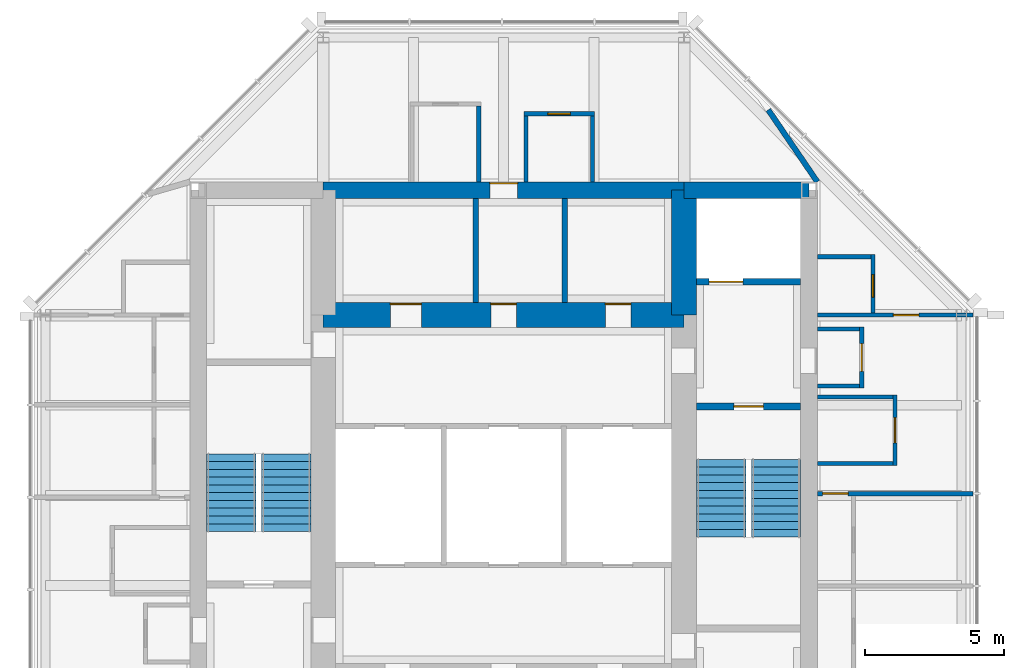
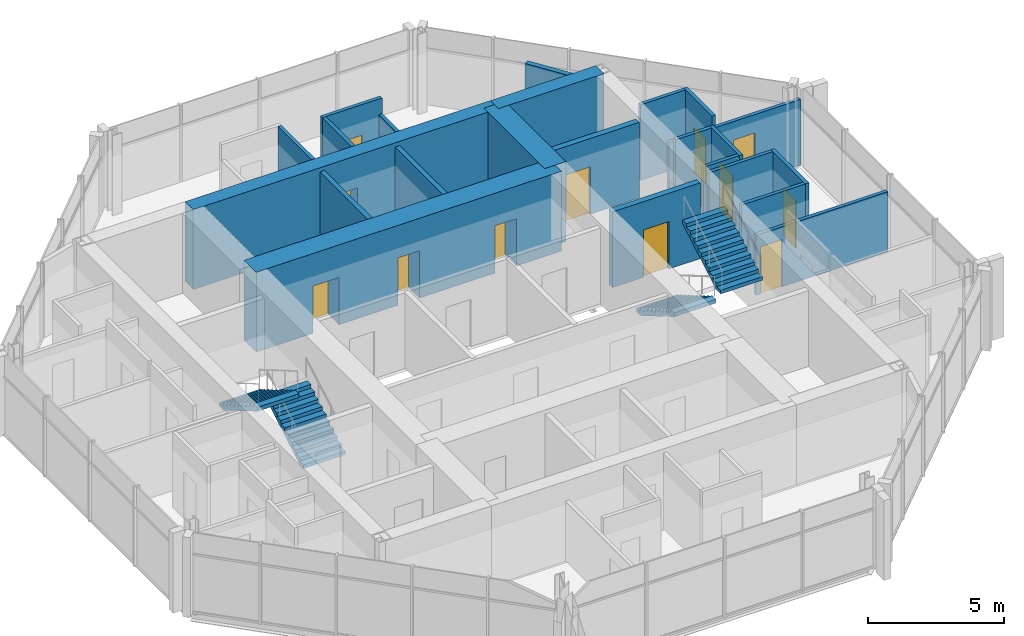
# One storey, part 7 of 9: 23 walls, 12 doors, 4 stair flights, 12 openings, 2 elements without a shape of their own.
"""IFC4 building model written with IfcOpenShell, lengths in metres."""

import ifcopenshell
import ifcopenshell.guid

model = None  # the IFC model being written
_history = None  # IfcOwnerHistory: only IFC2X3 demands one
_inside = {}  # id of a spatial element -> (the spatial element, [elements in it])
_under = {}  # id of a project, library or spatial element -> (it, [spatial elements below it])
_declared = {}  # id of a project -> (the project, [libraries it declares])
_typed = {}  # id of a type object -> (the type object, [elements of that type])
_made_of = {}  # id of a material, layer set ... -> (it, [elements and type objects made of it])


def new_model(schema):
    """Start an empty IFC model of exactly this schema.

    Asked for "IFC4X3", IfcOpenShell would pick the latest addendum, in which some entities
    have other attributes; the version numbers below select the first issue.
    IFC2X3 requires an IfcOwnerHistory on every rooted entity: one is made here for all.
    """
    global model, _history
    if schema == "IFC4X3":
        model = ifcopenshell.file(schema_version=(4, 3, 0, 0))
    else:
        model = ifcopenshell.file(schema=schema)
    _inside.clear()
    _under.clear()
    _declared.clear()
    _typed.clear()
    _made_of.clear()
    _history = None
    if model.schema == "IFC2X3":
        org = make("IfcOrganization", Name="unknown")
        user = make(
            "IfcPersonAndOrganization",
            ThePerson=make("IfcPerson", FamilyName="unknown"),
            TheOrganization=org,
        )
        app = make(
            "IfcApplication",
            ApplicationDeveloper=org,
            Version="unknown",
            ApplicationFullName="unknown",
            ApplicationIdentifier="unknown",
        )
        _history = make(
            "IfcOwnerHistory",
            OwningUser=user,
            OwningApplication=app,
            ChangeAction="ADDED",
            CreationDate=0,
        )
    return model


def make(cls, **values):
    """One entity of the class cls with the attributes given. An attribute that is None is left unset."""
    return model.create_entity(
        cls, **{name: value for name, value in values.items() if value is not None}
    )


def rooted(cls, **values):
    """An entity with a GlobalId (a new one), such as an element, a storey or a relation."""
    return make(cls, GlobalId=ifcopenshell.guid.new(), OwnerHistory=_history, **values)


def si_unit(unit_type, name, prefix=None):
    """IfcSIUnit, for example si_unit("LENGTHUNIT", "METRE", prefix="MILLI")."""
    return make("IfcSIUnit", UnitType=unit_type, Prefix=prefix, Name=name)


def assignment(units):
    """IfcUnitAssignment: the units of a project."""
    return None if units is None else make("IfcUnitAssignment", Units=units)


def point(xyz):
    """IfcCartesianPoint."""
    return None if xyz is None else make("IfcCartesianPoint", Coordinates=xyz)


def direction(xyz):
    """IfcDirection."""
    return None if xyz is None else make("IfcDirection", DirectionRatios=xyz)


def frame(location, z_axis=None, x_axis=None):
    """IfcAxis2Placement3D, a coordinate frame: its origin and axes. An axis left out is left unset."""
    return make(
        "IfcAxis2Placement3D",
        Location=point(location),
        Axis=direction(z_axis),
        RefDirection=direction(x_axis),
    )


def frame_2d(location, x_axis=None):
    """IfcAxis2Placement2D, a coordinate frame in the plane: its origin and x axis."""
    return make(
        "IfcAxis2Placement2D", Location=point(location), RefDirection=direction(x_axis)
    )


def origin():
    """The frame at (0, 0, 0) with its axes left unset."""
    return frame((0.0, 0.0, 0.0))


def place(relative_to, where):
    """IfcLocalPlacement: puts the frame where relative to a parent placement (None: the world)."""
    return make(
        "IfcLocalPlacement", PlacementRelTo=relative_to, RelativePlacement=where
    )


def context(
    kind, dimensions, precision=None, world=None, true_north=None, identifier=None
):
    """IfcGeometricRepresentationContext, for example the 3D "Model" context."""
    return make(
        "IfcGeometricRepresentationContext",
        ContextIdentifier=identifier,
        ContextType=kind,
        CoordinateSpaceDimension=dimensions,
        Precision=precision,
        WorldCoordinateSystem=world,
        TrueNorth=true_north,
    )


def subcontext(parent, identifier, kind, view, scale=None):
    """IfcGeometricRepresentationSubContext, for example "Body" below "Model"."""
    return make(
        "IfcGeometricRepresentationSubContext",
        ContextIdentifier=identifier,
        ContextType=kind,
        ParentContext=parent,
        TargetScale=scale,
        TargetView=view,
    )


def project(units=None, contexts=None):
    """IfcProject with its units and contexts."""
    return rooted(
        "IfcProject",
        Name="project",
        RepresentationContexts=contexts,
        UnitsInContext=assignment(units),
    )


def spatial(cls, under=None, at=None, **own):
    """A site, building, storey or space (cls), placed at a placement, below another one or the project."""
    s = rooted(cls, ObjectPlacement=at, **own)
    if under is not None:
        _under.setdefault(under.id(), (under, []))[1].append(s)
    return s


def polyline(points):
    """IfcPolyline through the points."""
    return make("IfcPolyline", Points=[point(p) for p in points])


def profile(cls, at=None, kind="AREA", **sizes):
    """A parametric profile (cls). Its sizes go by their IFC names, for example OverallWidth=200.0."""
    return make(cls, ProfileType=kind, Position=at, **sizes)


def rectangle(**sizes):
    """IfcRectangleProfileDef."""
    return profile("IfcRectangleProfileDef", **sizes)


def outline(outer, holes=None, kind="AREA"):
    """IfcArbitraryClosedProfileDef: a profile drawn as a closed curve; with holes, ...WithVoids."""
    if holes is None:
        return make("IfcArbitraryClosedProfileDef", ProfileType=kind, OuterCurve=outer)
    return make(
        "IfcArbitraryProfileDefWithVoids",
        ProfileType=kind,
        OuterCurve=outer,
        InnerCurves=holes,
    )


def extrude(swept, where, along, depth):
    """IfcExtrudedAreaSolid: the profile swept, set in the frame where, extruded along a direction by depth."""
    return make(
        "IfcExtrudedAreaSolid",
        SweptArea=swept,
        Position=where,
        ExtrudedDirection=direction(along),
        Depth=depth,
    )


def shape(context_of_items, identifier, shape_type, items):
    """IfcShapeRepresentation: the items that make up one representation, for example the "Body"."""
    return make(
        "IfcShapeRepresentation",
        ContextOfItems=context_of_items,
        RepresentationIdentifier=identifier,
        RepresentationType=shape_type,
        Items=items,
    )


def material(Name=None, Category=None):
    """IfcMaterial."""
    return make("IfcMaterial", Name=Name, Category=Category)


def layer(
    of_material, thickness, ventilated=None, Name=None, Category=None, Priority=None
):
    """IfcMaterialLayer: one layer of a wall or slab, of a material (None: an air gap)."""
    return make(
        "IfcMaterialLayer",
        Material=of_material,
        LayerThickness=thickness,
        IsVentilated=ventilated,
        Name=Name,
        Category=Category,
        Priority=Priority,
    )


def layer_set(layers, Name=None):
    """IfcMaterialLayerSet."""
    return make("IfcMaterialLayerSet", MaterialLayers=layers, LayerSetName=Name)


def made_of(thing, what):
    """Note that an element or type object is made of a material, layer set ...; save() writes the relation."""
    if what is not None:
        _made_of.setdefault(what.id(), (what, []))[1].append(thing)
    return thing


def type_object(cls, material=None, **own):
    """A type object (cls), such as IfcWallType, which elements share."""
    return made_of(rooted(cls, **own), material)


def element(
    cls,
    number,
    at=None,
    inside=None,
    cuts=None,
    type_object=None,
    material=None,
    context=None,
    identifier="Body",
    shape_type=None,
    held_by="IfcProductDefinitionShape",
    body=None,
    shapes=None,
    **own,
):
    """One element of the class cls, such as IfcWall. Its Tag is "e" and its number.

    at: its placement. inside: the storey or other place that contains it. cuts: it is an
    opening in that element (IfcRelVoidsElement). A single representation is given by context,
    identifier, shape_type and body (its items); several are given by shapes. held_by: the class
    of the entity that holds the representations. save() writes the other relations.
    """
    e = rooted(cls, Tag="e%d" % number, ObjectPlacement=at, **own)
    if body is not None:
        shapes = [shape(context, identifier, shape_type, body)]
    if shapes is not None:
        e.Representation = make(held_by, Representations=shapes)
    if inside is not None:
        _inside.setdefault(inside.id(), (inside, []))[1].append(e)
    if cuts is not None:
        rooted(
            "IfcRelVoidsElement", RelatingBuildingElement=cuts, RelatedOpeningElement=e
        )
    if type_object is not None:
        _typed.setdefault(type_object.id(), (type_object, []))[1].append(e)
    return made_of(e, material)


def fill(opening, filler):
    """IfcRelFillsElement: the door or window that sits in an opening."""
    return rooted(
        "IfcRelFillsElement",
        RelatingOpeningElement=opening,
        RelatedBuildingElement=filler,
    )


def aggregate(whole, parts):
    """IfcRelAggregates: a whole, such as a stair, and the parts it consists of."""
    return rooted("IfcRelAggregates", RelatingObject=whole, RelatedObjects=parts)


def save(model, path):
    """Write the relations noted so far, then the file.

    IfcRelAggregates (storeys below a building ...), IfcRelContainedInSpatialStructure (elements
    in a storey), IfcRelDefinesByType, IfcRelAssociatesMaterial and IfcRelDeclares: one each for
    every whole, place, type object, material and project.
    """
    for whole, parts in _under.values():
        aggregate(whole, parts)
    for where, things in _inside.values():
        rooted(
            "IfcRelContainedInSpatialStructure",
            RelatedElements=things,
            RelatingStructure=where,
        )
    for kind, things in _typed.values():
        rooted("IfcRelDefinesByType", RelatedObjects=things, RelatingType=kind)
    for what, things in _made_of.values():
        rooted("IfcRelAssociatesMaterial", RelatedObjects=things, RelatingMaterial=what)
    for by, libraries in _declared.values():
        rooted("IfcRelDeclares", RelatingContext=by, RelatedDefinitions=libraries)
    model.write(path)


model = new_model("IFC4")

# Units and contexts
model_context = context("Model", 3, precision=1e-05, world=origin(), true_north=direction((0.0, 1.0)))
body_context = subcontext(model_context, "Body", "Model", "MODEL_VIEW")
ifc_project = project(units=[si_unit("LENGTHUNIT", "METRE"), si_unit("AREAUNIT", "SQUARE_METRE"), si_unit("VOLUMEUNIT", "CUBIC_METRE"), si_unit("PLANEANGLEUNIT", "RADIAN"), si_unit("MASSUNIT", "GRAM", prefix="KILO")], contexts=[model_context])

# Site, building, storey
site_placement = place(None, origin())
site = spatial("IfcSite", under=ifc_project, at=site_placement, CompositionType="ELEMENT")
building_placement = place(site_placement, origin())
building = spatial("IfcBuilding", under=site, at=building_placement, Name="Trevanion Tower", CompositionType="ELEMENT")
storey_placement = place(building_placement, frame((0.0, 0.0, 292.0)))
storey = spatial("IfcBuildingStorey", under=building, at=storey_placement, Name="L72", CompositionType="ELEMENT", Elevation=292.0)

# Wall
ifc_material_1 = material(Name="Concrete 10,000 psi", Category="concrete")
ifc_layer_1 = layer(ifc_material_1, 0.60009765625)
ifc_layer_set_1 = layer_set([ifc_layer_1], Name="CW1 core wall 600")
wall_type_1 = type_object("IfcWallType", Name="CW1 core wall 600", PredefinedType="SHEAR", material=ifc_layer_set_1)
wall_1_placement = place(storey_placement, frame((11.0, 11.0, 0.0), z_axis=(0.0, 0.0, 1.0), x_axis=(-1.0, 0.0, 0.0)))
element("IfcWall", 1, at=wall_1_placement, inside=storey, type_object=wall_type_1, Name="CW1 CN1 L72", PredefinedType="SHEAR", context=body_context, shape_type="SweptSolid", body=[
    extrude(rectangle(XDim=4.5, YDim=0.60009765625, at=frame_2d((2.25, 0.0))), origin(), (0.0, 0.0, 1.0), 3.60009765625),
])

# Wall, opening, door
wall_2_placement = place(storey_placement, frame((6.5, 11.0, 0.0), z_axis=(0.0, 0.0, 1.0), x_axis=(-1.0, 0.0, 0.0)))
wall_2 = element("IfcWall", 2, at=wall_2_placement, inside=storey, type_object=wall_type_1, Name="CW1 CN2 L72", PredefinedType="SHEAR", context=body_context, shape_type="SweptSolid", body=[
    extrude(rectangle(XDim=13.0, YDim=0.60009765625, at=frame_2d((6.5, 0.0))), origin(), (0.0, 0.0, 1.0), 3.60009765625),
])
opening_1_placement = place(wall_2_placement, frame((6.0, 0.0, 0.0)))
opening_1 = element("IfcOpeningElement", 3, at=opening_1_placement, cuts=wall_2, Name="Opening 72-018", PredefinedType="OPENING", context=body_context, shape_type="SweptSolid", body=[
    extrude(rectangle(XDim=1.0, YDim=2.134033203125, at=frame_2d((0.5, 1.06689453125))), frame((0.0, 0.31005859375, 0.0), z_axis=(0.0, -1.0, 0.0), x_axis=(1.0, 0.0, 0.0)), (0.0, 0.0, 1.0), 0.6201171875),
])
ifc_material_2 = material(Name="Timber veneer on steel frame, fire rated", Category="steel")
door_type_1 = type_object("IfcDoorType", Name="D13 residence entrance door", OperationType="SINGLE_SWING_RIGHT", PredefinedType="DOOR", material=ifc_material_2)
door_1_placement = place(opening_1_placement, origin())
door_1 = element("IfcDoor", 4, at=door_1_placement, inside=storey, type_object=door_type_1, Name="Door 72-018", OperationType="SINGLE_SWING_RIGHT", OverallHeight=2.134033203125, OverallWidth=1.0, PredefinedType="DOOR", context=body_context, shape_type="SweptSolid", body=[
    extrude(rectangle(XDim=1.0, YDim=2.134033203125, at=frame_2d((0.5, 1.06689453125))), frame((0.0, -0.22509765625, 0.0), z_axis=(0.0, -1.0, 0.0), x_axis=(1.0, 0.0, 0.0)), (0.0, 0.0, 1.0), 0.050048828125),
])
fill(opening_1, door_1)

# Wall
ifc_material_3 = material(Name="Concrete 10,000 psi", Category="concrete")
ifc_layer_2 = layer(ifc_material_3, 0.89990234375)
ifc_layer_set_2 = layer_set([ifc_layer_2], Name="CW2 core wall 900")
wall_type_2 = type_object("IfcWallType", Name="CW2 core wall 900", PredefinedType="SHEAR", material=ifc_layer_set_2)
wall_3_placement = place(storey_placement, frame((6.5, 6.5, 0.0), z_axis=(0.0, 0.0, 1.0), x_axis=(0.0, 1.0, 0.0)))
element("IfcWall", 5, at=wall_3_placement, inside=storey, type_object=wall_type_2, Name="CW2 RE3 L72", PredefinedType="SHEAR", context=body_context, shape_type="SweptSolid", body=[
    extrude(rectangle(XDim=4.5, YDim=0.89990234375, at=frame_2d((2.25, 0.0))), origin(), (0.0, 0.0, 1.0), 3.60009765625),
])

# Wall, openings, doors
wall_4_placement = place(storey_placement, frame((6.5, 6.5, 0.0), z_axis=(0.0, 0.0, 1.0), x_axis=(-1.0, 0.0, 0.0)))
wall_4 = element("IfcWall", 6, at=wall_4_placement, inside=storey, type_object=wall_type_2, Name="CW2 RN L72", PredefinedType="SHEAR", context=body_context, shape_type="SweptSolid", body=[
    extrude(rectangle(XDim=13.0, YDim=0.89990234375, at=frame_2d((6.5, 0.0))), origin(), (0.0, 0.0, 1.0), 3.60009765625),
])
opening_2_placement = place(wall_4_placement, frame((6.04248046875, 0.0, 0.0)))
opening_2 = element("IfcOpeningElement", 7, at=opening_2_placement, cuts=wall_4, Name="Opening 72-017", PredefinedType="OPENING", context=body_context, shape_type="SweptSolid", body=[
    extrude(rectangle(XDim=0.9150390625, YDim=2.134033203125, at=frame_2d((0.45751953125, 1.06689453125))), frame((0.0, 0.4599609375, 0.0), z_axis=(0.0, -1.0, 0.0), x_axis=(1.0, 0.0, 0.0)), (0.0, 0.0, 1.0), 0.919921875),
])
opening_3_placement = place(wall_4_placement, frame((9.466064453125, 0.0, 0.0)))
opening_3 = element("IfcOpeningElement", 8, at=opening_3_placement, cuts=wall_4, Name="Opening 72-019", PredefinedType="OPENING", context=body_context, shape_type="SweptSolid", body=[
    extrude(rectangle(XDim=1.117919921875, YDim=2.134033203125, at=frame_2d((0.55908203125, 1.06689453125))), frame((0.0, 0.4599609375, 0.0), z_axis=(0.0, -1.0, 0.0), x_axis=(1.0, 0.0, 0.0)), (0.0, 0.0, 1.0), 0.919921875),
])
opening_4_placement = place(wall_4_placement, frame((1.91748046875, 0.0, 0.0)))
opening_4 = element("IfcOpeningElement", 9, at=opening_4_placement, cuts=wall_4, Name="Opening 72-020", PredefinedType="OPENING", context=body_context, shape_type="SweptSolid", body=[
    extrude(rectangle(XDim=0.9150390625, YDim=2.134033203125, at=frame_2d((0.45751953125, 1.06689453125))), frame((0.0, 0.4599609375, 0.0), z_axis=(0.0, -1.0, 0.0), x_axis=(1.0, 0.0, 0.0)), (0.0, 0.0, 1.0), 0.919921875),
])
ifc_material_4 = material(Name="Hollow metal, fire rated", Category="steel")
door_type_2 = type_object("IfcDoorType", Name="D16 refuse room door", OperationType="SINGLE_SWING_RIGHT", PredefinedType="DOOR", material=ifc_material_4)
door_2_placement = place(opening_3_placement, origin())
door_2 = element("IfcDoor", 10, at=door_2_placement, inside=storey, type_object=door_type_2, Name="Door 72-019", OperationType="SINGLE_SWING_RIGHT", OverallHeight=2.134033203125, OverallWidth=1.117919921875, PredefinedType="DOOR", context=body_context, shape_type="SweptSolid", body=[
    extrude(rectangle(XDim=1.117919921875, YDim=2.134033203125, at=frame_2d((0.55908203125, 1.06689453125))), frame((0.0, -0.375, 0.0), z_axis=(0.0, -1.0, 0.0), x_axis=(1.0, 0.0, 0.0)), (0.0, 0.0, 1.0), 0.050048828125),
])
fill(opening_3, door_2)
ifc_material_5 = material(Name="Hollow metal, fire rated", Category="steel")
door_type_3 = type_object("IfcDoorType", Name="D3 fire lift lobby door", OperationType="SINGLE_SWING_RIGHT", PredefinedType="DOOR", material=ifc_material_5)
door_3_placement = place(opening_2_placement, origin())
door_3 = element("IfcDoor", 11, at=door_3_placement, inside=storey, type_object=door_type_3, Name="Door 72-017", OperationType="SINGLE_SWING_RIGHT", OverallHeight=2.134033203125, OverallWidth=0.9150390625, PredefinedType="DOOR", context=body_context, shape_type="SweptSolid", body=[
    extrude(rectangle(XDim=0.9150390625, YDim=2.134033203125, at=frame_2d((0.45751953125, 1.06689453125))), frame((0.0, -0.375, 0.0), z_axis=(0.0, -1.0, 0.0), x_axis=(1.0, 0.0, 0.0)), (0.0, 0.0, 1.0), 0.050048828125),
])
fill(opening_2, door_3)
ifc_material_6 = material(Name="Hollow metal, fire rated", Category="steel")
door_type_4 = type_object("IfcDoorType", Name="D5 service room door", OperationType="SINGLE_SWING_RIGHT", PredefinedType="DOOR", material=ifc_material_6)
door_4_placement = place(opening_4_placement, origin())
door_4 = element("IfcDoor", 12, at=door_4_placement, inside=storey, type_object=door_type_4, Name="Door 72-020", OperationType="SINGLE_SWING_RIGHT", OverallHeight=2.134033203125, OverallWidth=0.9150390625, PredefinedType="DOOR", context=body_context, shape_type="SweptSolid", body=[
    extrude(rectangle(XDim=0.9150390625, YDim=2.134033203125, at=frame_2d((0.45751953125, 1.06689453125))), frame((0.0, -0.375, 0.0), z_axis=(0.0, -1.0, 0.0), x_axis=(1.0, 0.0, 0.0)), (0.0, 0.0, 1.0), 0.050048828125),
])
fill(opening_4, door_4)

# Wall, opening, door
ifc_material_7 = material(Name="Gypsum board on steel studs", Category="steel")
ifc_layer_3 = layer(ifc_material_7, 0.14990234375)
ifc_layer_set_3 = layer_set([ifc_layer_3], Name="PT1 partition 150")
wall_type_3 = type_object("IfcWallType", Name="PT1 partition 150", PredefinedType="PARTITIONING", material=ifc_layer_set_3)
wall_5_placement = place(storey_placement, frame((11.300048828125, 0.06494140625, 0.0), z_axis=(0.0, 0.0, 1.0), x_axis=(1.0, 0.0, 0.0)))
wall_5 = element("IfcWall", 13, at=wall_5_placement, inside=storey, type_object=wall_type_3, Name="PT1 L72 REC2", PredefinedType="PARTITIONING", context=body_context, shape_type="SweptSolid", body=[
    extrude(rectangle(XDim=5.614990234375, YDim=0.14990234375, at=frame_2d((2.8076171875, 0.0))), origin(), (0.0, 0.0, 1.0), 2.708984375),
])
opening_5_placement = place(wall_5_placement, frame((0.1923828125, 0.0, 0.0)))
opening_5 = element("IfcOpeningElement", 14, at=opening_5_placement, cuts=wall_5, Name="Opening 72-030", PredefinedType="OPENING", context=body_context, shape_type="SweptSolid", body=[
    extrude(rectangle(XDim=0.9150390625, YDim=2.134033203125, at=frame_2d((0.45751953125, 1.06689453125))), frame((0.0, 0.0849609375, 0.0), z_axis=(0.0, -1.0, 0.0), x_axis=(1.0, 0.0, 0.0)), (0.0, 0.0, 1.0), 0.169921875),
])
ifc_material_8 = material(Name="Timber veneer, solid core", Category="wood")
door_type_5 = type_object("IfcDoorType", Name="D1 office and meeting room door", OperationType="SINGLE_SWING_LEFT", PredefinedType="DOOR", material=ifc_material_8)
door_5_placement = place(opening_5_placement, origin())
door_5 = element("IfcDoor", 15, at=door_5_placement, inside=storey, type_object=door_type_5, Name="Door 72-030", OperationType="SINGLE_SWING_LEFT", OverallHeight=2.134033203125, OverallWidth=0.9150390625, PredefinedType="DOOR", context=body_context, shape_type="SweptSolid", body=[
    extrude(rectangle(XDim=0.9150390625, YDim=2.134033203125, at=frame_2d((0.45751953125, 1.06689453125))), frame((0.0, 0.02490234375, 0.0), z_axis=(0.0, -1.0, 0.0), x_axis=(1.0, 0.0, 0.0)), (0.0, 0.0, 1.0), 0.050048828125),
])
fill(opening_5, door_5)

wall_6_placement = place(storey_placement, frame((11.300048828125, 6.5, 0.0), z_axis=(0.0, 0.0, 1.0), x_axis=(1.0, 0.0, 0.0)))
wall_6 = element("IfcWall", 16, at=wall_6_placement, inside=storey, type_object=wall_type_3, Name="PT1 L72 REC3", PredefinedType="PARTITIONING", context=body_context, shape_type="SweptSolid", body=[
    extrude(rectangle(XDim=5.614990234375, YDim=0.14990234375, at=frame_2d((2.8076171875, 0.0))), origin(), (0.0, 0.0, 1.0), 2.965576171875),
])
opening_6_placement = place(wall_6_placement, frame((2.742431640625, 0.0, 0.0)))
opening_6 = element("IfcOpeningElement", 17, at=opening_6_placement, cuts=wall_6, Name="Opening 72-033", PredefinedType="OPENING", context=body_context, shape_type="SweptSolid", body=[
    extrude(rectangle(XDim=0.9150390625, YDim=2.134033203125, at=frame_2d((0.45751953125, 1.06689453125))), frame((0.0, 0.0849609375, 0.0), z_axis=(0.0, -1.0, 0.0), x_axis=(1.0, 0.0, 0.0)), (0.0, 0.0, 1.0), 0.169921875),
])
door_6_placement = place(opening_6_placement, origin())
door_6 = element("IfcDoor", 18, at=door_6_placement, inside=storey, type_object=door_type_5, Name="Door 72-033", OperationType="SINGLE_SWING_LEFT", OverallHeight=2.134033203125, OverallWidth=0.9150390625, PredefinedType="DOOR", context=body_context, shape_type="SweptSolid", body=[
    extrude(rectangle(XDim=0.9150390625, YDim=2.134033203125, at=frame_2d((0.45751953125, 1.06689453125))), frame((0.0, 0.02490234375, 0.0), z_axis=(0.0, -1.0, 0.0), x_axis=(1.0, 0.0, 0.0)), (0.0, 0.0, 1.0), 0.050048828125),
])
fill(opening_6, door_6)

# Walls
for number, where, z_axis, x_axis, name in (
    (19, (11.300048828125, 3.949951171875, 0.0), (0.0, 0.0, 1.0), (1.0, 0.0, 0.0), "PT1 L72 REEA"),
    (20, (11.300048828125, 6.0, 0.0), (0.0, 0.0, 1.0), (1.0, 0.0, 0.0), "PT1 L72 REEB"),
):
    element("IfcWall", number, at=place(storey_placement, frame(where, z_axis=z_axis, x_axis=x_axis)), inside=storey, type_object=wall_type_3, Name=name, PredefinedType="PARTITIONING", context=body_context, shape_type="SweptSolid", body=[
        extrude(rectangle(XDim=1.52490234375, YDim=0.14990234375, at=frame_2d((0.762451171875, 0.0))), origin(), (0.0, 0.0, 1.0), 3.409912109375),
    ])

# Wall, opening, door
wall_7_placement = place(storey_placement, frame((14.10009765625, 1.074951171875, 0.0), z_axis=(0.0, 0.0, 1.0), x_axis=(0.0, 1.0, 0.0)))
wall_7 = element("IfcWall", 21, at=wall_7_placement, inside=storey, type_object=wall_type_3, Name="PT1 L72 REKF", PredefinedType="PARTITIONING", context=body_context, shape_type="SweptSolid", body=[
    extrude(rectangle(XDim=2.550048828125, YDim=0.14990234375, at=frame_2d((1.27490234375, 0.0))), origin(), (0.0, 0.0, 1.0), 3.409912109375),
])
opening_7_placement = place(wall_7_placement, frame((0.8173828125, 0.0, 0.0)))
opening_7 = element("IfcOpeningElement", 22, at=opening_7_placement, cuts=wall_7, Name="Opening 72-026", PredefinedType="OPENING", context=body_context, shape_type="SweptSolid", body=[
    extrude(rectangle(XDim=0.9150390625, YDim=2.134033203125, at=frame_2d((0.45751953125, 1.06689453125))), frame((0.0, 0.0849609375, 0.0), z_axis=(0.0, -1.0, 0.0), x_axis=(1.0, 0.0, 0.0)), (0.0, 0.0, 1.0), 0.169921875),
])
door_7_placement = place(opening_7_placement, origin())
door_7 = element("IfcDoor", 23, at=door_7_placement, inside=storey, type_object=door_type_5, Name="Door 72-026", OperationType="SINGLE_SWING_LEFT", OverallHeight=2.134033203125, OverallWidth=0.9150390625, PredefinedType="DOOR", context=body_context, shape_type="SweptSolid", body=[
    extrude(rectangle(XDim=0.9150390625, YDim=2.134033203125, at=frame_2d((0.45751953125, 1.06689453125))), frame((0.0, 0.02490234375, 0.0), z_axis=(0.0, -1.0, 0.0), x_axis=(1.0, 0.0, 0.0)), (0.0, 0.0, 1.0), 0.050048828125),
])
fill(opening_7, door_7)

# Walls
for number, where, z_axis, x_axis, name in (
    (24, (11.300048828125, 1.14990234375, 0.0), (0.0, 0.0, 1.0), (1.0, 0.0, 0.0), "PT1 L72 REKA"),
    (25, (11.300048828125, 3.550048828125, 0.0), (0.0, 0.0, 1.0), (1.0, 0.0, 0.0), "PT1 L72 REKB"),
):
    element("IfcWall", number, at=place(storey_placement, frame(where, z_axis=z_axis, x_axis=x_axis)), inside=storey, type_object=wall_type_3, Name=name, PredefinedType="PARTITIONING", context=body_context, shape_type="SweptSolid", body=[
        extrude(rectangle(XDim=2.724853515625, YDim=0.14990234375, at=frame_2d((1.3623046875, 0.0))), origin(), (0.0, 0.0, 1.0), 3.409912109375),
    ])

# Wall, opening, door
wall_8_placement = place(storey_placement, frame((13.300048828125, 6.574951171875, 0.0), z_axis=(0.0, 0.0, 1.0), x_axis=(0.0, 1.0, 0.0)))
wall_8 = element("IfcWall", 26, at=wall_8_placement, inside=storey, type_object=wall_type_3, Name="PT1 L72 REWF", PredefinedType="PARTITIONING", context=body_context, shape_type="SweptSolid", body=[
    extrude(rectangle(XDim=2.10009765625, YDim=0.14990234375, at=frame_2d((1.050048828125, 0.0))), origin(), (0.0, 0.0, 1.0), 3.409912109375),
])
opening_8_placement = place(wall_8_placement, frame((0.568603515625, 0.0, 0.0)))
opening_8 = element("IfcOpeningElement", 27, at=opening_8_placement, cuts=wall_8, Name="Opening 72-027", PredefinedType="OPENING", context=body_context, shape_type="SweptSolid", body=[
    extrude(rectangle(XDim=0.81298828125, YDim=2.031982421875, at=frame_2d((0.406494140625, 1.01611328125))), frame((0.0, 0.0849609375, 0.0), z_axis=(0.0, -1.0, 0.0), x_axis=(1.0, 0.0, 0.0)), (0.0, 0.0, 1.0), 0.169921875),
])
ifc_material_9 = material(Name="Timber veneer", Category="wood")
door_type_6 = type_object("IfcDoorType", Name="D14 residence bathroom door", OperationType="SINGLE_SWING_LEFT", PredefinedType="DOOR", material=ifc_material_9)
door_8_placement = place(opening_8_placement, origin())
door_8 = element("IfcDoor", 28, at=door_8_placement, inside=storey, type_object=door_type_6, Name="Door 72-027", OperationType="SINGLE_SWING_LEFT", OverallHeight=2.031982421875, OverallWidth=0.81298828125, PredefinedType="DOOR", context=body_context, shape_type="SweptSolid", body=[
    extrude(rectangle(XDim=0.81298828125, YDim=2.031982421875, at=frame_2d((0.406494140625, 1.01611328125))), frame((0.0, 0.02490234375, 0.0), z_axis=(0.0, -1.0, 0.0), x_axis=(1.0, 0.0, 0.0)), (0.0, 0.0, 1.0), 0.050048828125),
])
fill(opening_8, door_8)

# Walls
wall_9_placement = place(storey_placement, frame((11.300048828125, 8.60009765625, 0.0), z_axis=(0.0, 0.0, 1.0), x_axis=(1.0, 0.0, 0.0)))
element("IfcWall", 29, at=wall_9_placement, inside=storey, type_object=wall_type_3, Name="PT1 L72 REWB", PredefinedType="PARTITIONING", context=body_context, shape_type="SweptSolid", body=[
    extrude(rectangle(XDim=1.925048828125, YDim=0.14990234375, at=frame_2d((0.96240234375, 0.0))), origin(), (0.0, 0.0, 1.0), 3.409912109375),
])
wall_10_placement = place(storey_placement, frame((-0.89990234375, 11.300048828125, 0.0), z_axis=(0.0, 0.0, 1.0), x_axis=(0.0, 1.0, 0.0)))
element("IfcWall", 30, at=wall_10_placement, inside=storey, type_object=wall_type_3, Name="PT1 L72 RNKA", PredefinedType="PARTITIONING", context=body_context, shape_type="SweptSolid", body=[
    extrude(rectangle(XDim=2.724853515625, YDim=0.14990234375, at=frame_2d((1.3623046875, 0.0))), origin(), (0.0, 0.0, 1.0), 3.409912109375),
])

# Wall, opening, door
wall_11_placement = place(storey_placement, frame((3.27490234375, 13.75, 0.0), z_axis=(0.0, 0.0, 1.0), x_axis=(-1.0, 0.0, 0.0)))
wall_11 = element("IfcWall", 31, at=wall_11_placement, inside=storey, type_object=wall_type_3, Name="PT1 L72 RNTF", PredefinedType="PARTITIONING", context=body_context, shape_type="SweptSolid", body=[
    extrude(rectangle(XDim=2.5498046875, YDim=0.14990234375, at=frame_2d((1.27490234375, 0.0))), origin(), (0.0, 0.0, 1.0), 3.409912109375),
])
opening_9_placement = place(wall_11_placement, frame((0.868408203125, 0.0, 0.0)))
opening_9 = element("IfcOpeningElement", 32, at=opening_9_placement, cuts=wall_11, Name="Opening 72-035", PredefinedType="OPENING", context=body_context, shape_type="SweptSolid", body=[
    extrude(rectangle(XDim=0.81298828125, YDim=2.031982421875, at=frame_2d((0.406494140625, 1.01611328125))), frame((0.0, 0.0849609375, 0.0), z_axis=(0.0, -1.0, 0.0), x_axis=(1.0, 0.0, 0.0)), (0.0, 0.0, 1.0), 0.169921875),
])
door_9_placement = place(opening_9_placement, origin())
door_9 = element("IfcDoor", 33, at=door_9_placement, inside=storey, type_object=door_type_6, Name="Door 72-035", OperationType="SINGLE_SWING_LEFT", OverallHeight=2.031982421875, OverallWidth=0.81298828125, PredefinedType="DOOR", context=body_context, shape_type="SweptSolid", body=[
    extrude(rectangle(XDim=0.81298828125, YDim=2.031982421875, at=frame_2d((0.406494140625, 1.01611328125))), frame((0.0, 0.02490234375, 0.0), z_axis=(0.0, -1.0, 0.0), x_axis=(1.0, 0.0, 0.0)), (0.0, 0.0, 1.0), 0.050048828125),
])
fill(opening_9, door_9)

# Walls
wall_12_placement = place(storey_placement, frame((3.199951171875, 11.300048828125, 0.0), z_axis=(0.0, 0.0, 1.0), x_axis=(0.0, 1.0, 0.0)))
element("IfcWall", 34, at=wall_12_placement, inside=storey, type_object=wall_type_3, Name="PT1 L72 RNTA", PredefinedType="PARTITIONING", context=body_context, shape_type="SweptSolid", body=[
    extrude(rectangle(XDim=2.375, YDim=0.14990234375, at=frame_2d((1.1875, 0.0))), origin(), (0.0, 0.0, 1.0), 2.708984375),
])
wall_13_placement = place(storey_placement, frame((0.800048828125, 11.300048828125, 0.0), z_axis=(0.0, 0.0, 1.0), x_axis=(0.0, 1.0, 0.0)))
element("IfcWall", 35, at=wall_13_placement, inside=storey, type_object=wall_type_3, Name="PT1 L72 RNTB", PredefinedType="PARTITIONING", context=body_context, shape_type="SweptSolid", body=[
    extrude(rectangle(XDim=2.375, YDim=0.14990234375, at=frame_2d((1.1875, 0.0))), origin(), (0.0, 0.0, 1.0), 3.409912109375),
])

# Wall, opening, door
ifc_material_10 = material(Name="Gypsum board on steel studs", Category="steel")
ifc_layer_4 = layer(ifc_material_10, 0.14990234375)
ifc_layer_set_4 = layer_set([ifc_layer_4], Name="PT1 partition 150 1 HR")
wall_type_4 = type_object("IfcWallType", Name="PT1 partition 150 1 HR", PredefinedType="PARTITIONING", material=ifc_layer_set_4)
wall_14_placement = place(storey_placement, frame((12.89990234375, 3.875, 0.0), z_axis=(0.0, 0.0, 1.0), x_axis=(0.0, 1.0, 0.0)))
wall_14 = element("IfcWall", 36, at=wall_14_placement, inside=storey, type_object=wall_type_4, Name="PT1 L72 REEF", PredefinedType="PARTITIONING", context=body_context, shape_type="SweptSolid", body=[
    extrude(rectangle(XDim=2.199951171875, YDim=0.14990234375, at=frame_2d((1.10009765625, 0.0))), origin(), (0.0, 0.0, 1.0), 3.409912109375),
])
opening_10_placement = place(wall_14_placement, frame((0.60009765625, 0.0, 0.0)))
opening_10 = element("IfcOpeningElement", 37, at=opening_10_placement, cuts=wall_14, Name="Opening 72-025", PredefinedType="OPENING", context=body_context, shape_type="SweptSolid", body=[
    extrude(rectangle(XDim=1.0, YDim=2.134033203125, at=frame_2d((0.5, 1.06689453125))), frame((0.0, 0.0849609375, 0.0), z_axis=(0.0, -1.0, 0.0), x_axis=(1.0, 0.0, 0.0)), (0.0, 0.0, 1.0), 0.169921875),
])
door_10_placement = place(opening_10_placement, origin())
door_10 = element("IfcDoor", 38, at=door_10_placement, inside=storey, type_object=door_type_1, Name="Door 72-025", OperationType="SINGLE_SWING_RIGHT", OverallHeight=2.134033203125, OverallWidth=1.0, PredefinedType="DOOR", context=body_context, shape_type="SweptSolid", body=[
    extrude(rectangle(XDim=1.0, YDim=2.134033203125, at=frame_2d((0.5, 1.06689453125))), frame((0.0, 0.02490234375, 0.0), z_axis=(0.0, -1.0, 0.0), x_axis=(1.0, 0.0, 0.0)), (0.0, 0.0, 1.0), 0.050048828125),
])
fill(opening_10, door_10)

# Walls
ifc_material_11 = material(Name="Concrete masonry, grouted", Category="masonry")
ifc_layer_5 = layer(ifc_material_11, 0.199951171875)
ifc_layer_set_5 = layer_set([ifc_layer_5], Name="PT2 partition 200 1 HR")
wall_type_5 = type_object("IfcWallType", Name="PT2 partition 200 1 HR", PredefinedType="PARTITIONING", material=ifc_layer_set_5)
for number, where, z_axis, x_axis, name in (
    (39, (-1.0, 6.949951171875, 0.0), (0.0, 0.0, 1.0), (0.0, 1.0, 0.0), "PT2 L72 CNP1"),
    (40, (2.199951171875, 6.949951171875, 0.0), (0.0, 0.0, 1.0), (0.0, 1.0, 0.0), "PT2 L72 CNP2"),
):
    element("IfcWall", number, at=place(storey_placement, frame(where, z_axis=z_axis, x_axis=x_axis)), inside=storey, type_object=wall_type_5, Name=name, PredefinedType="PARTITIONING", context=body_context, shape_type="SweptSolid", body=[
        extrude(rectangle(XDim=3.75, YDim=0.199951171875, at=frame_2d((1.875, 0.0))), origin(), (0.0, 0.0, 1.0), 3.409912109375),
    ])
wall_15_placement = place(storey_placement, frame((11.300048828125, 11.300048828125, 0.0), z_axis=(0.0, 0.0, 1.0), x_axis=(-0.563469639691, 0.826136771453, 0.0)))
element("IfcWall", 41, at=wall_15_placement, inside=storey, type_object=wall_type_5, Name="PT2 L72 UB0", PredefinedType="PARTITIONING", context=body_context, shape_type="SweptSolid", body=[
    extrude(rectangle(XDim=3.136962890625, YDim=0.199951171875, at=frame_2d((1.568359375, 0.0))), origin(), (0.0, 0.0, 1.0), 2.703857421875),
])

# Wall, opening, door
ifc_material_12 = material(Name="Concrete masonry, grouted, two-hour", Category="masonry")
ifc_layer_6 = layer(ifc_material_12, 0.25)
ifc_layer_set_6 = layer_set([ifc_layer_6], Name="PT3 partition 250 2 HR")
wall_type_6 = type_object("IfcWallType", Name="PT3 partition 250 2 HR", PredefinedType="PARTITIONING", material=ifc_layer_set_6)
wall_16_placement = place(storey_placement, frame((6.949951171875, 7.699951171875, 0.0), z_axis=(0.0, 0.0, 1.0), x_axis=(1.0, 0.0, 0.0)))
wall_16 = element("IfcWall", 42, at=wall_16_placement, inside=storey, type_object=wall_type_6, Name="PT3 L72 EP3", PredefinedType="PARTITIONING", context=body_context, shape_type="SweptSolid", body=[
    extrude(rectangle(XDim=3.75, YDim=0.25, at=frame_2d((1.875, 0.0))), origin(), (0.0, 0.0, 1.0), 3.409912109375),
])
opening_11_placement = place(wall_16_placement, frame((0.449951171875, 0.0, 0.0)))
opening_11 = element("IfcOpeningElement", 43, at=opening_11_placement, cuts=wall_16, Name="Opening 72-007", PredefinedType="OPENING", context=body_context, shape_type="SweptSolid", body=[
    extrude(rectangle(XDim=1.218994140625, YDim=2.134033203125, at=frame_2d((0.609375, 1.06689453125))), frame((0.0, 0.135009765625, 0.0), z_axis=(0.0, -1.0, 0.0), x_axis=(1.0, 0.0, 0.0)), (0.0, 0.0, 1.0), 0.27001953125),
])
ifc_material_13 = material(Name="Stainless steel, fire rated", Category="steel")
door_type_7 = type_object("IfcDoorType", Name="LD2 fire service lift landing door", OperationType="SLIDING_TO_LEFT", PredefinedType="DOOR", material=ifc_material_13)
door_11_placement = place(opening_11_placement, origin())
door_11 = element("IfcDoor", 44, at=door_11_placement, inside=storey, type_object=door_type_7, Name="Door 72-007", OperationType="SLIDING_TO_LEFT", OverallHeight=2.134033203125, OverallWidth=1.218994140625, PredefinedType="DOOR", context=body_context, shape_type="SweptSolid", body=[
    extrude(rectangle(XDim=1.218994140625, YDim=2.134033203125, at=frame_2d((0.609375, 1.06689453125))), frame((0.0, 0.02490234375, 0.0), z_axis=(0.0, -1.0, 0.0), x_axis=(1.0, 0.0, 0.0)), (0.0, 0.0, 1.0), 0.050048828125),
])
fill(opening_11, door_11)

ifc_material_14 = material(Name="Reinforced masonry, fully grouted", Category="masonry")
ifc_layer_7 = layer(ifc_material_14, 0.25)
ifc_layer_set_7 = layer_set([ifc_layer_7], Name="SW1 stair shaft wall 250")
wall_type_7 = type_object("IfcWallType", Name="SW1 stair shaft wall 250", PredefinedType="SOLIDWALL", material=ifc_layer_set_7)
wall_17_placement = place(storey_placement, frame((6.949951171875, 3.199951171875, 0.0), z_axis=(0.0, 0.0, 1.0), x_axis=(1.0, 0.0, 0.0)))
wall_17 = element("IfcWall", 45, at=wall_17_placement, inside=storey, type_object=wall_type_7, Name="SW1 L72 EP2", PredefinedType="SOLIDWALL", context=body_context, shape_type="SweptSolid", body=[
    extrude(rectangle(XDim=3.75, YDim=0.25, at=frame_2d((1.875, 0.0))), origin(), (0.0, 0.0, 1.0), 3.409912109375),
])
opening_12_placement = place(wall_17_placement, frame((1.341552734375, 0.0, 0.0)))
opening_12 = element("IfcOpeningElement", 46, at=opening_12_placement, cuts=wall_17, Name="Opening 72-005", PredefinedType="OPENING", context=body_context, shape_type="SweptSolid", body=[
    extrude(rectangle(XDim=1.06689453125, YDim=2.134033203125, at=frame_2d((0.533447265625, 1.06689453125))), frame((0.0, 0.135009765625, 0.0), z_axis=(0.0, -1.0, 0.0), x_axis=(1.0, 0.0, 0.0)), (0.0, 0.0, 1.0), 0.27001953125),
])
ifc_material_15 = material(Name="Hollow metal, fire rated", Category="steel")
door_type_8 = type_object("IfcDoorType", Name="D2 exit stair door", OperationType="SINGLE_SWING_LEFT", PredefinedType="DOOR", material=ifc_material_15)
door_12_placement = place(opening_12_placement, origin())
door_12 = element("IfcDoor", 47, at=door_12_placement, inside=storey, type_object=door_type_8, Name="Door 72-005", OperationType="SINGLE_SWING_LEFT", OverallHeight=2.134033203125, OverallWidth=1.06689453125, PredefinedType="DOOR", context=body_context, shape_type="SweptSolid", body=[
    extrude(rectangle(XDim=1.06689453125, YDim=2.134033203125, at=frame_2d((0.533447265625, 1.06689453125))), frame((0.0, 0.02490234375, 0.0), z_axis=(0.0, -1.0, 0.0), x_axis=(1.0, 0.0, 0.0)), (0.0, 0.0, 1.0), 0.050048828125),
])
fill(opening_12, door_12)

# Stair, stair flights
ifc_material_16 = material(Name="Concrete 5,000 psi on steel stringers", Category="concrete")
stair_type = type_object("IfcStairType", Name="ST stair", PredefinedType="HALF_TURN_STAIR", material=ifc_material_16)
stair_1_placement = place(storey_placement, origin())
stair_1 = element("IfcStair", 48, at=stair_1_placement, inside=storey, type_object=stair_type, Name="ST1 L72", PredefinedType="HALF_TURN_STAIR")
ifc_material_17 = material(Name="Concrete 5,000 psi in steel pan", Category="concrete")
stair_flight_type = type_object("IfcStairFlightType", Name="STF stair flight", PredefinedType="STRAIGHT", material=ifc_material_17)
stair_flight_1_placement = place(storey_placement, frame((7.83740234375, 1.300048828125, 0.0), z_axis=(0.0, 0.0, 1.0), x_axis=(0.0, -1.0, 0.0)))
stair_flight_1 = element("IfcStairFlight", 49, at=stair_flight_1_placement, type_object=stair_flight_type, Name="ST1 flight 1", NumberOfRisers=11, NumberOfTreads=10, PredefinedType="STRAIGHT", RiserHeight=0.163636364, TreadLength=0.28, context=body_context, shape_type="SweptSolid", body=[
    extrude(outline(polyline([(0.0, 0.0), (0.0, 0.16357421875), (0.280029296875, 0.16357421875), (0.280029296875, 0.327392578125), (0.56005859375, 0.327392578125), (0.56005859375, 0.490966796875), (0.840087890625, 0.490966796875), (0.840087890625, 0.654541015625), (1.1201171875, 0.654541015625), (1.1201171875, 0.818115234375), (1.39990234375, 0.818115234375), (1.39990234375, 0.98193359375), (1.679931640625, 0.98193359375), (1.679931640625, 1.1455078125), (1.9599609375, 1.1455078125), (1.9599609375, 1.30908203125), (2.239990234375, 1.30908203125), (2.239990234375, 1.47265625), (2.52001953125, 1.47265625), (2.52001953125, 1.636474609375), (2.800048828125, 1.636474609375), (2.800048828125, 1.800048828125), (2.800048828125, 1.462646484375), (0.297119140625, 0.0), (0.0, 0.0)])), frame((0.0, 0.887451171875, 0.0), z_axis=(0.0, -1.0, 0.0), x_axis=(1.0, 0.0, 0.0)), (0.0, 0.0, 1.0), 1.77490234375),
])
stair_flight_2_placement = place(storey_placement, frame((9.8125, -1.5, 1.800048828125), z_axis=(0.0, 0.0, 1.0), x_axis=(0.0, 1.0, 0.0)))
stair_flight_2 = element("IfcStairFlight", 50, at=stair_flight_2_placement, type_object=stair_flight_type, Name="ST1 flight 2", NumberOfRisers=11, NumberOfTreads=10, PredefinedType="STRAIGHT", RiserHeight=0.163636364, TreadLength=0.28, context=body_context, shape_type="SweptSolid", body=[
    extrude(outline(polyline([(0.0, 0.0), (0.0, 0.16357421875), (0.280029296875, 0.16357421875), (0.280029296875, 0.327392578125), (0.56005859375, 0.327392578125), (0.56005859375, 0.490966796875), (0.840087890625, 0.490966796875), (0.840087890625, 0.654541015625), (1.1201171875, 0.654541015625), (1.1201171875, 0.818115234375), (1.39990234375, 0.818115234375), (1.39990234375, 0.98193359375), (1.679931640625, 0.98193359375), (1.679931640625, 1.1455078125), (1.9599609375, 1.1455078125), (1.9599609375, 1.30908203125), (2.239990234375, 1.30908203125), (2.239990234375, 1.47265625), (2.52001953125, 1.47265625), (2.52001953125, 1.636474609375), (2.800048828125, 1.636474609375), (2.800048828125, 1.800048828125), (2.800048828125, 1.462646484375), (0.297119140625, 0.0), (0.0, 0.0)])), frame((0.0, 0.887451171875, 0.0), z_axis=(0.0, -1.0, 0.0), x_axis=(1.0, 0.0, 0.0)), (0.0, 0.0, 1.0), 1.77490234375),
])
aggregate(stair_1, [stair_flight_1, stair_flight_2])

stair_2_placement = place(storey_placement, origin())
stair_2 = element("IfcStair", 51, at=stair_2_placement, inside=storey, type_object=stair_type, Name="ST2 L72", PredefinedType="HALF_TURN_STAIR")
stair_flight_3_placement = place(storey_placement, frame((-7.83740234375, -1.300048828125, 0.0), z_axis=(0.0, 0.0, 1.0), x_axis=(0.0, 1.0, 0.0)))
stair_flight_3 = element("IfcStairFlight", 52, at=stair_flight_3_placement, type_object=stair_flight_type, Name="ST2 flight 1", NumberOfRisers=11, NumberOfTreads=10, PredefinedType="STRAIGHT", RiserHeight=0.163636364, TreadLength=0.28, context=body_context, shape_type="SweptSolid", body=[
    extrude(outline(polyline([(0.0, 0.0), (0.0, 0.16357421875), (0.280029296875, 0.16357421875), (0.280029296875, 0.327392578125), (0.56005859375, 0.327392578125), (0.56005859375, 0.490966796875), (0.840087890625, 0.490966796875), (0.840087890625, 0.654541015625), (1.1201171875, 0.654541015625), (1.1201171875, 0.818115234375), (1.39990234375, 0.818115234375), (1.39990234375, 0.98193359375), (1.679931640625, 0.98193359375), (1.679931640625, 1.1455078125), (1.9599609375, 1.1455078125), (1.9599609375, 1.30908203125), (2.239990234375, 1.30908203125), (2.239990234375, 1.47265625), (2.52001953125, 1.47265625), (2.52001953125, 1.636474609375), (2.800048828125, 1.636474609375), (2.800048828125, 1.800048828125), (2.800048828125, 1.462646484375), (0.297119140625, 0.0), (0.0, 0.0)])), frame((0.0, 0.887451171875, 0.0), z_axis=(0.0, -1.0, 0.0), x_axis=(1.0, 0.0, 0.0)), (0.0, 0.0, 1.0), 1.77490234375),
])
stair_flight_4_placement = place(storey_placement, frame((-9.8125, 1.5, 1.800048828125), z_axis=(0.0, 0.0, 1.0), x_axis=(0.0, -1.0, 0.0)))
stair_flight_4 = element("IfcStairFlight", 53, at=stair_flight_4_placement, type_object=stair_flight_type, Name="ST2 flight 2", NumberOfRisers=11, NumberOfTreads=10, PredefinedType="STRAIGHT", RiserHeight=0.163636364, TreadLength=0.28, context=body_context, shape_type="SweptSolid", body=[
    extrude(outline(polyline([(0.0, 0.0), (0.0, 0.16357421875), (0.280029296875, 0.16357421875), (0.280029296875, 0.327392578125), (0.56005859375, 0.327392578125), (0.56005859375, 0.490966796875), (0.840087890625, 0.490966796875), (0.840087890625, 0.654541015625), (1.1201171875, 0.654541015625), (1.1201171875, 0.818115234375), (1.39990234375, 0.818115234375), (1.39990234375, 0.98193359375), (1.679931640625, 0.98193359375), (1.679931640625, 1.1455078125), (1.9599609375, 1.1455078125), (1.9599609375, 1.30908203125), (2.239990234375, 1.30908203125), (2.239990234375, 1.47265625), (2.52001953125, 1.47265625), (2.52001953125, 1.636474609375), (2.800048828125, 1.636474609375), (2.800048828125, 1.800048828125), (2.800048828125, 1.462646484375), (0.297119140625, 0.0), (0.0, 0.0)])), frame((0.0, 0.887451171875, 0.0), z_axis=(0.0, -1.0, 0.0), x_axis=(1.0, 0.0, 0.0)), (0.0, 0.0, 1.0), 1.77490234375),
])
aggregate(stair_2, [stair_flight_3, stair_flight_4])

save(model, "model.ifc")
